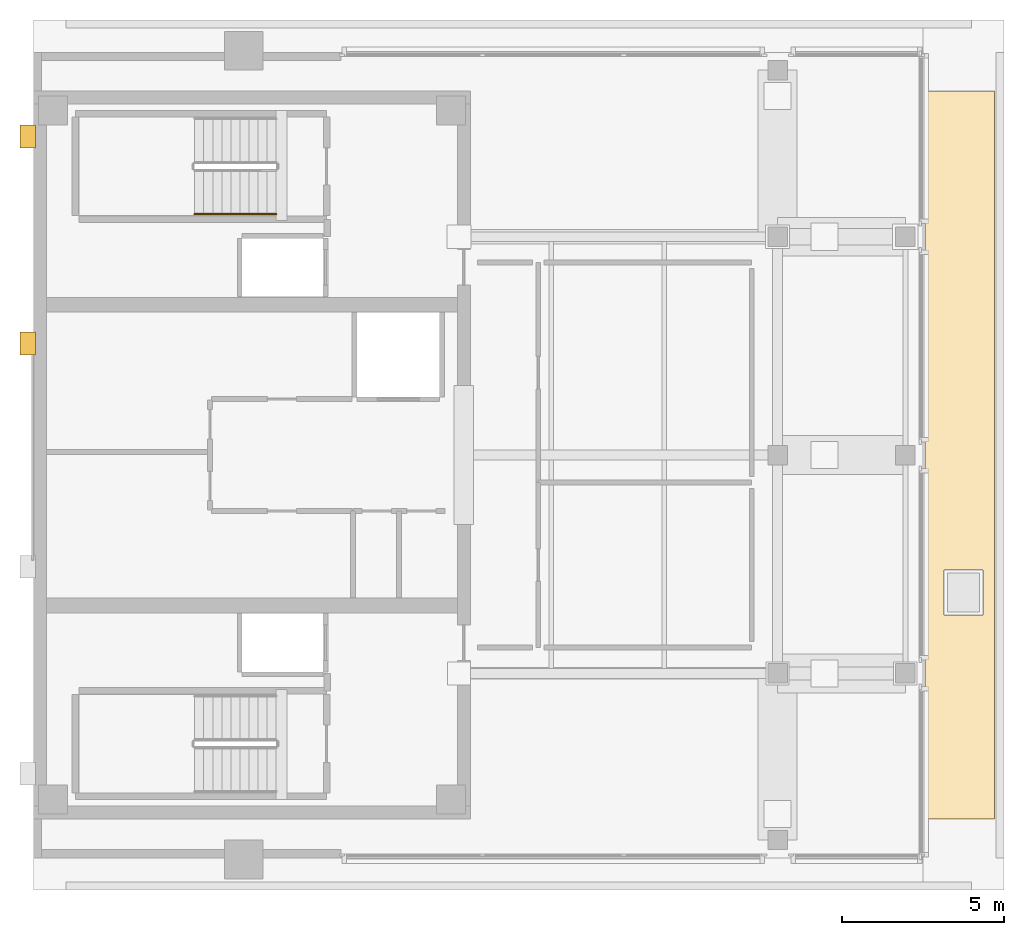
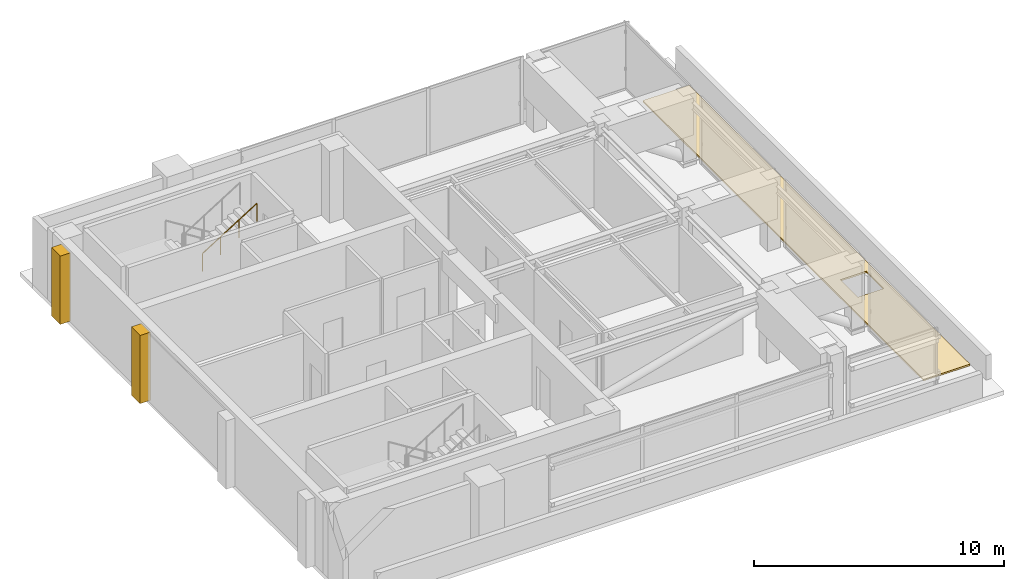
# One storey, part 8 of 9: 3 coverings, 1 railing.
"""IFC4 building model written with IfcOpenShell, lengths in metres."""

from ifc_helpers import new_model, si_unit, direction, frame, origin, origin_2d, place, context, subcontext, project, spatial, polyline, circle, outline, extrude, material, layer, layer_set, type_object, element, save


model = new_model("IFC4")

# Units and contexts
model_context = context("Model", 3, precision=1e-05, world=origin(), true_north=direction((0.0, 1.0)))
body_context = subcontext(model_context, "Body", "Model", "MODEL_VIEW")
ifc_project = project(units=[si_unit("LENGTHUNIT", "METRE"), si_unit("AREAUNIT", "SQUARE_METRE"), si_unit("VOLUMEUNIT", "CUBIC_METRE"), si_unit("PLANEANGLEUNIT", "RADIAN"), si_unit("MASSUNIT", "GRAM", prefix="KILO")], contexts=[model_context])

# Site, building, storey
site_placement = place(None, origin())
site = spatial("IfcSite", under=ifc_project, at=site_placement, CompositionType="ELEMENT")
building_placement = place(site_placement, origin())
building = spatial("IfcBuilding", under=site, at=building_placement, Name="Kinhvarn Gate Tower", CompositionType="ELEMENT")
storey_placement = place(building_placement, frame((0.0, 0.0, 318.050048828125)))
storey = spatial("IfcBuildingStorey", under=building, at=storey_placement, Name="L84", CompositionType="ELEMENT", Elevation=318.050048828125)

# Coverings
ifc_material_1 = material(Name="Precast white architectural concrete C40/50", Category="concrete")
ifc_layer_1 = layer(ifc_material_1, 0.47998046875)
ifc_layer_set_1 = layer_set([ifc_layer_1], Name="Precast white architectural concrete C40/50")
covering_type_1 = type_object("IfcCoveringType", Name="COV-RIB-450", PredefinedType="CLADDING", material=ifc_layer_set_1)
covering_1_placement = place(storey_placement, frame((0.0, 0.0, -0.02001953125)))
element("IfcCovering", 1, at=covering_1_placement, inside=storey, type_object=covering_type_1, Name="West Core Sculptural Concrete Relief Rib CRB-450 (L84)", PredefinedType="CLADDING", context=body_context, shape_type="SweptSolid", body=[
    extrude(outline(polyline([(4.080078125, 28.35009765625), (4.56005859375, 28.35009765625), (4.56005859375, 29.050048828125), (4.080078125, 29.050048828125), (4.080078125, 28.35009765625)])), origin(), (0.0, 0.0, 1.0), 3.340087890625),
])
covering_2_placement = place(storey_placement, frame((0.0, 0.0, -0.02001953125)))
element("IfcCovering", 2, at=covering_2_placement, inside=storey, type_object=covering_type_1, Name="West Core Sculptural Concrete Relief Rib CRB-450 (L84)", PredefinedType="CLADDING", context=body_context, shape_type="SweptSolid", body=[
    extrude(outline(polyline([(4.080078125, 34.75), (4.56005859375, 34.75), (4.56005859375, 35.449951171875), (4.080078125, 35.449951171875), (4.080078125, 34.75)])), origin(), (0.0, 0.0, 1.0), 3.340087890625),
])
ifc_material_2 = material(Name="Insulated EPDM waterproof roof build-up")
ifc_layer_2 = layer(ifc_material_2, 0.080078125)
ifc_layer_set_2 = layer_set([ifc_layer_2], Name="Insulated EPDM waterproof roof build-up")
covering_type_2 = type_object("IfcCoveringType", Name="COV-ROOF-80", PredefinedType="ROOFING", material=ifc_layer_set_2)
covering_3_placement = place(storey_placement, origin())
element("IfcCovering", 3, at=covering_3_placement, inside=storey, type_object=covering_type_2, Name="Crown Waterproof EPDM Roof Covering (L84)", PredefinedType="ROOFING", context=body_context, shape_type="SweptSolid", body=[
    extrude(outline(polyline([(32.050048828125, 14.0), (32.050048828125, 36.5), (34.199951171875, 36.5), (34.199951171875, 14.0), (32.050048828125, 14.0)]), holes=[polyline([(33.85009765625, 21.699951171875), (32.64990234375, 21.699951171875), (32.64990234375, 20.300048828125), (33.85009765625, 20.300048828125), (33.85009765625, 21.699951171875)])]), origin(), (0.0, 0.0, 1.0), 0.079833984375),
])

# Railing
ifc_material_3 = material(Name="Steel S355", Category="steel")
railing_type = type_object("IfcRailingType", Name="RL-ST-HND", PredefinedType="HANDRAIL", material=ifc_material_3)
railing_placement = place(storey_placement, frame((9.47998046875, 32.699951171875, 1.925048828125)))
element("IfcRailing", 4, at=railing_placement, inside=storey, type_object=railing_type, Name="L84 ST2 stair handrail 2", PredefinedType="HANDRAIL", context=body_context, shape_type="SweptSolid", body=[
    extrude(circle(Radius=0.02392578125, at=origin_2d()), frame((0.0, 0.0, 0.8759765625), z_axis=(0.848007534815, 0.0, 0.529984170421), x_axis=(0.0, 1.0, 0.0)), (0.0, 0.0, 1.0), 2.9716796875),
    extrude(circle(Radius=0.02099609375, at=origin_2d()), origin(), (0.0, 0.0, 1.0), 0.851806640625),
    extrude(circle(Radius=0.02099609375, at=origin_2d()), frame((0.840087890625, 0.0, 0.52490234375)), (0.0, 0.0, 1.0), 0.851806640625),
    extrude(circle(Radius=0.02099609375, at=origin_2d()), frame((1.679931640625, 0.0, 1.050048828125)), (0.0, 0.0, 1.0), 0.851806640625),
    extrude(circle(Radius=0.02099609375, at=origin_2d()), frame((2.52001953125, 0.0, 1.574951171875)), (0.0, 0.0, 1.0), 0.851806640625),
])

save(model, "model.ifc")
